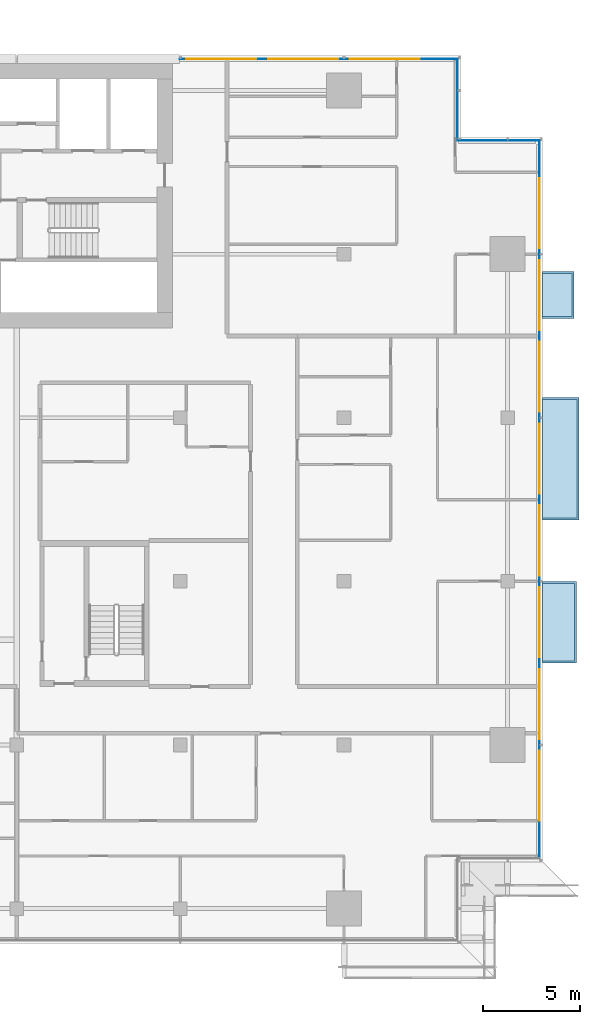
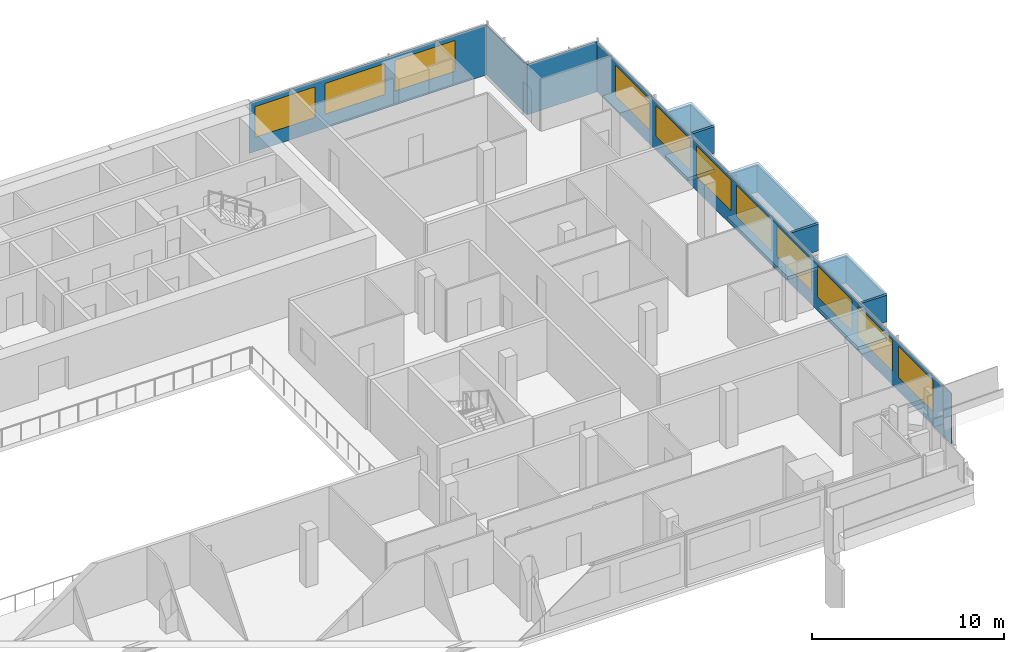
# One storey, part 16 of 30: 11 windows, 10 plates, 3 slabs, 11 openings, 4 elements without a shape of their own.
"""IFC4 building model written with IfcOpenShell, lengths in metres."""

from ifc_helpers import new_model, si_unit, direction, frame, frame_2d, origin, place, context, subcontext, project, spatial, polyline, rectangle, outline, extrude, material, layer, layer_set, type_object, element, fill, aggregate, save


model = new_model("IFC4")

# Units and contexts
model_context = context("Model", 3, precision=1e-05, world=origin(), true_north=direction((0.0, 1.0)))
body_context = subcontext(model_context, "Body", "Model", "MODEL_VIEW")
ifc_project = project(units=[si_unit("LENGTHUNIT", "METRE"), si_unit("AREAUNIT", "SQUARE_METRE"), si_unit("VOLUMEUNIT", "CUBIC_METRE"), si_unit("PLANEANGLEUNIT", "RADIAN"), si_unit("MASSUNIT", "GRAM", prefix="KILO")], contexts=[model_context])

# Site, building, storey
site_placement = place(None, origin())
site = spatial("IfcSite", under=ifc_project, at=site_placement, CompositionType="ELEMENT")
building_placement = place(site_placement, origin())
building = spatial("IfcBuilding", under=site, at=building_placement, Name="Saffron Gate Tower", CompositionType="ELEMENT")
storey_placement = place(building_placement, frame((0.0, 0.0, 158.25)))
storey = spatial("IfcBuildingStorey", under=building, at=storey_placement, Name="L38", CompositionType="ELEMENT", Elevation=158.25)

# Curtain wall, plate, openings, windows
ifc_material_1 = material(Name="Aluminium, bronze anodised", Category="aluminium")
curtain_wall_type_1 = type_object("IfcCurtainWallType", Name="CWS2 curtain wall side facades", PredefinedType="NOTDEFINED", material=ifc_material_1)
curtain_wall_1_placement = place(storey_placement, origin())
curtain_wall_1 = element("IfcCurtainWall", 1, at=curtain_wall_1_placement, inside=storey, type_object=curtain_wall_type_1, Name="CWS2 run 4", PredefinedType="NOTDEFINED")
ifc_material_2 = material(Name="Fritted bronze-tinted laminated glass", Category="glass")
ifc_layer_1 = layer(ifc_material_2, 0.028076171875)
ifc_layer_set_1 = layer_set([ifc_layer_1], Name="CWS2 fixed glass")
plate_type_1 = type_object("IfcPlateType", Name="CWS2 fixed glass", PredefinedType="CURTAIN_PANEL", material=ifc_layer_set_1)
plate_1_placement = place(storey_placement, frame((127.02587890625, 34.387939453125, 0.0), z_axis=(0.0, 0.0, 1.0), x_axis=(0.0, 1.0, 0.0)))
plate_1 = element("IfcPlate", 2, at=plate_1_placement, type_object=plate_type_1, Name="CWS2 glass panel", PredefinedType="CURTAIN_PANEL", context=body_context, shape_type="SweptSolid", body=[
    extrude(rectangle(XDim=36.823974609375, YDim=0.028076171875, at=frame_2d((18.412109375, 0.0))), origin(), (0.0, 0.0, 1.0), 3.199951171875),
])
opening_1_placement = place(plate_1_placement, frame((1.912109375, 0.0, 0.89990234375)))
opening_1 = element("IfcOpeningElement", 3, at=opening_1_placement, cuts=plate_1, Name="Opening W1", PredefinedType="OPENING", context=body_context, shape_type="SweptSolid", body=[
    extrude(rectangle(XDim=3.60009765625, YDim=1.949951171875, at=frame_2d((1.800048828125, 0.97509765625))), frame((0.0, 0.02392578125, 0.0), z_axis=(0.0, -1.0, 0.0), x_axis=(1.0, 0.0, 0.0)), (0.0, 0.0, 1.0), 0.048095703125),
])
opening_2_placement = place(plate_1_placement, frame((6.112060546875, 0.0, 0.89990234375)))
opening_2 = element("IfcOpeningElement", 4, at=opening_2_placement, cuts=plate_1, Name="Opening W1", PredefinedType="OPENING", context=body_context, shape_type="SweptSolid", body=[
    extrude(rectangle(XDim=3.60009765625, YDim=1.949951171875, at=frame_2d((1.800048828125, 0.97509765625))), frame((0.0, 0.02392578125, 0.0), z_axis=(0.0, -1.0, 0.0), x_axis=(1.0, 0.0, 0.0)), (0.0, 0.0, 1.0), 0.048095703125),
])
opening_3_placement = place(plate_1_placement, frame((10.31201171875, 0.0, 0.89990234375)))
opening_3 = element("IfcOpeningElement", 5, at=opening_3_placement, cuts=plate_1, Name="Opening W1", PredefinedType="OPENING", context=body_context, shape_type="SweptSolid", body=[
    extrude(rectangle(XDim=3.60009765625, YDim=1.949951171875, at=frame_2d((1.800048828125, 0.97509765625))), frame((0.0, 0.02392578125, 0.0), z_axis=(0.0, -1.0, 0.0), x_axis=(1.0, 0.0, 0.0)), (0.0, 0.0, 1.0), 0.048095703125),
])
opening_4_placement = place(plate_1_placement, frame((14.511962890625, 0.0, 0.89990234375)))
opening_4 = element("IfcOpeningElement", 6, at=opening_4_placement, cuts=plate_1, Name="Opening W1", PredefinedType="OPENING", context=body_context, shape_type="SweptSolid", body=[
    extrude(rectangle(XDim=3.60009765625, YDim=1.949951171875, at=frame_2d((1.800048828125, 0.97509765625))), frame((0.0, 0.02392578125, 0.0), z_axis=(0.0, -1.0, 0.0), x_axis=(1.0, 0.0, 0.0)), (0.0, 0.0, 1.0), 0.048095703125),
])
opening_5_placement = place(plate_1_placement, frame((18.7119140625, 0.0, 0.89990234375)))
opening_5 = element("IfcOpeningElement", 7, at=opening_5_placement, cuts=plate_1, Name="Opening W1", PredefinedType="OPENING", context=body_context, shape_type="SweptSolid", body=[
    extrude(rectangle(XDim=3.60009765625, YDim=1.949951171875, at=frame_2d((1.800048828125, 0.97509765625))), frame((0.0, 0.02392578125, 0.0), z_axis=(0.0, -1.0, 0.0), x_axis=(1.0, 0.0, 0.0)), (0.0, 0.0, 1.0), 0.048095703125),
])
opening_6_placement = place(plate_1_placement, frame((22.912109375, 0.0, 0.89990234375)))
opening_6 = element("IfcOpeningElement", 8, at=opening_6_placement, cuts=plate_1, Name="Opening W1", PredefinedType="OPENING", context=body_context, shape_type="SweptSolid", body=[
    extrude(rectangle(XDim=3.60009765625, YDim=1.949951171875, at=frame_2d((1.800048828125, 0.97509765625))), frame((0.0, 0.02392578125, 0.0), z_axis=(0.0, -1.0, 0.0), x_axis=(1.0, 0.0, 0.0)), (0.0, 0.0, 1.0), 0.048095703125),
])
opening_7_placement = place(plate_1_placement, frame((27.112060546875, 0.0, 0.89990234375)))
opening_7 = element("IfcOpeningElement", 9, at=opening_7_placement, cuts=plate_1, Name="Opening W1", PredefinedType="OPENING", context=body_context, shape_type="SweptSolid", body=[
    extrude(rectangle(XDim=3.60009765625, YDim=1.949951171875, at=frame_2d((1.800048828125, 0.97509765625))), frame((0.0, 0.02392578125, 0.0), z_axis=(0.0, -1.0, 0.0), x_axis=(1.0, 0.0, 0.0)), (0.0, 0.0, 1.0), 0.048095703125),
])
opening_8_placement = place(plate_1_placement, frame((31.31201171875, 0.0, 0.89990234375)))
opening_8 = element("IfcOpeningElement", 10, at=opening_8_placement, cuts=plate_1, Name="Opening W1", PredefinedType="OPENING", context=body_context, shape_type="SweptSolid", body=[
    extrude(rectangle(XDim=3.60009765625, YDim=1.949951171875, at=frame_2d((1.800048828125, 0.97509765625))), frame((0.0, 0.02392578125, 0.0), z_axis=(0.0, -1.0, 0.0), x_axis=(1.0, 0.0, 0.0)), (0.0, 0.0, 1.0), 0.048095703125),
])
ifc_material_3 = material(Name="Fritted bronze-tinted laminated glass in bronze frame", Category="glass")
ifc_layer_2 = layer(ifc_material_3, 0.06005859375)
ifc_layer_set_2 = layer_set([ifc_layer_2], Name="W1 operable panel 3600x1950")
window_type = type_object("IfcWindowType", Name="W1 operable panel 3600x1950", PartitioningType="DOUBLE_PANEL_HORIZONTAL", PredefinedType="WINDOW", material=ifc_layer_set_2)
window_1_placement = place(opening_1_placement, origin())
window_1 = element("IfcWindow", 11, at=window_1_placement, type_object=window_type, Name="W1 operable panel", OverallHeight=1.949951171875, OverallWidth=3.60009765625, PartitioningType="SINGLE_PANEL", PredefinedType="WINDOW", context=body_context, shape_type="SweptSolid", body=[
    extrude(rectangle(XDim=3.60009765625, YDim=1.949951171875, at=frame_2d((1.800048828125, 0.97509765625))), frame((0.0, 0.013671875, 0.0), z_axis=(0.0, -1.0, 0.0), x_axis=(1.0, 0.0, 0.0)), (0.0, 0.0, 1.0), 0.027587890625),
])
fill(opening_1, window_1)
window_2_placement = place(opening_2_placement, origin())
window_2 = element("IfcWindow", 12, at=window_2_placement, type_object=window_type, Name="W1 operable panel", OverallHeight=1.949951171875, OverallWidth=3.60009765625, PartitioningType="SINGLE_PANEL", PredefinedType="WINDOW", context=body_context, shape_type="SweptSolid", body=[
    extrude(rectangle(XDim=3.60009765625, YDim=1.949951171875, at=frame_2d((1.800048828125, 0.97509765625))), frame((0.0, 0.013671875, 0.0), z_axis=(0.0, -1.0, 0.0), x_axis=(1.0, 0.0, 0.0)), (0.0, 0.0, 1.0), 0.027587890625),
])
fill(opening_2, window_2)
window_3_placement = place(opening_3_placement, origin())
window_3 = element("IfcWindow", 13, at=window_3_placement, type_object=window_type, Name="W1 operable panel", OverallHeight=1.949951171875, OverallWidth=3.60009765625, PartitioningType="SINGLE_PANEL", PredefinedType="WINDOW", context=body_context, shape_type="SweptSolid", body=[
    extrude(rectangle(XDim=3.60009765625, YDim=1.949951171875, at=frame_2d((1.800048828125, 0.97509765625))), frame((0.0, 0.013671875, 0.0), z_axis=(0.0, -1.0, 0.0), x_axis=(1.0, 0.0, 0.0)), (0.0, 0.0, 1.0), 0.027587890625),
])
fill(opening_3, window_3)
window_4_placement = place(opening_4_placement, origin())
window_4 = element("IfcWindow", 14, at=window_4_placement, type_object=window_type, Name="W1 operable panel", OverallHeight=1.949951171875, OverallWidth=3.60009765625, PartitioningType="SINGLE_PANEL", PredefinedType="WINDOW", context=body_context, shape_type="SweptSolid", body=[
    extrude(rectangle(XDim=3.60009765625, YDim=1.949951171875, at=frame_2d((1.800048828125, 0.97509765625))), frame((0.0, 0.013671875, 0.0), z_axis=(0.0, -1.0, 0.0), x_axis=(1.0, 0.0, 0.0)), (0.0, 0.0, 1.0), 0.027587890625),
])
fill(opening_4, window_4)
window_5_placement = place(opening_5_placement, origin())
window_5 = element("IfcWindow", 15, at=window_5_placement, type_object=window_type, Name="W1 operable panel", OverallHeight=1.949951171875, OverallWidth=3.60009765625, PartitioningType="SINGLE_PANEL", PredefinedType="WINDOW", context=body_context, shape_type="SweptSolid", body=[
    extrude(rectangle(XDim=3.60009765625, YDim=1.949951171875, at=frame_2d((1.800048828125, 0.97509765625))), frame((0.0, 0.013671875, 0.0), z_axis=(0.0, -1.0, 0.0), x_axis=(1.0, 0.0, 0.0)), (0.0, 0.0, 1.0), 0.027587890625),
])
fill(opening_5, window_5)
window_6_placement = place(opening_6_placement, origin())
window_6 = element("IfcWindow", 16, at=window_6_placement, type_object=window_type, Name="W1 operable panel", OverallHeight=1.949951171875, OverallWidth=3.60009765625, PartitioningType="SINGLE_PANEL", PredefinedType="WINDOW", context=body_context, shape_type="SweptSolid", body=[
    extrude(rectangle(XDim=3.60009765625, YDim=1.949951171875, at=frame_2d((1.800048828125, 0.97509765625))), frame((0.0, 0.013671875, 0.0), z_axis=(0.0, -1.0, 0.0), x_axis=(1.0, 0.0, 0.0)), (0.0, 0.0, 1.0), 0.027587890625),
])
fill(opening_6, window_6)
window_7_placement = place(opening_7_placement, origin())
window_7 = element("IfcWindow", 17, at=window_7_placement, type_object=window_type, Name="W1 operable panel", OverallHeight=1.949951171875, OverallWidth=3.60009765625, PartitioningType="SINGLE_PANEL", PredefinedType="WINDOW", context=body_context, shape_type="SweptSolid", body=[
    extrude(rectangle(XDim=3.60009765625, YDim=1.949951171875, at=frame_2d((1.800048828125, 0.97509765625))), frame((0.0, 0.013671875, 0.0), z_axis=(0.0, -1.0, 0.0), x_axis=(1.0, 0.0, 0.0)), (0.0, 0.0, 1.0), 0.027587890625),
])
fill(opening_7, window_7)
window_8_placement = place(opening_8_placement, origin())
window_8 = element("IfcWindow", 18, at=window_8_placement, type_object=window_type, Name="W1 operable panel", OverallHeight=1.949951171875, OverallWidth=3.60009765625, PartitioningType="SINGLE_PANEL", PredefinedType="WINDOW", context=body_context, shape_type="SweptSolid", body=[
    extrude(rectangle(XDim=3.60009765625, YDim=1.949951171875, at=frame_2d((1.800048828125, 0.97509765625))), frame((0.0, 0.013671875, 0.0), z_axis=(0.0, -1.0, 0.0), x_axis=(1.0, 0.0, 0.0)), (0.0, 0.0, 1.0), 0.027587890625),
])
fill(opening_8, window_8)
aggregate(curtain_wall_1, [plate_1, window_1, window_2, window_3, window_4, window_5, window_6, window_7, window_8])

curtain_wall_type_2 = type_object("IfcCurtainWallType", Name="CWS3 curtain wall rear facade", PredefinedType="NOTDEFINED", material=ifc_material_1)
curtain_wall_2_placement = place(storey_placement, origin())
curtain_wall_2 = element("IfcCurtainWall", 19, at=curtain_wall_2_placement, inside=storey, type_object=curtain_wall_type_2, Name="CWS3 run 7", PredefinedType="NOTDEFINED")
ifc_material_4 = material(Name="Fritted grey-tinted laminated glass", Category="glass")
ifc_layer_3 = layer(ifc_material_4, 0.028076171875)
ifc_layer_set_3 = layer_set([ifc_layer_3], Name="CWS3 fixed glass")
plate_type_2 = type_object("IfcPlateType", Name="CWS3 fixed glass", PredefinedType="CURTAIN_PANEL", material=ifc_layer_set_3)
plate_2_placement = place(storey_placement, frame((122.81201171875, 75.426025390625, 0.0), z_axis=(0.0, 0.0, 1.0), x_axis=(-1.0, 0.0, 0.0)))
plate_2 = element("IfcPlate", 20, at=plate_2_placement, type_object=plate_type_2, Name="CWS3 glass panel", PredefinedType="CURTAIN_PANEL", context=body_context, shape_type="SweptSolid", body=[
    extrude(rectangle(XDim=14.2470703125, YDim=0.028076171875, at=frame_2d((7.12353515625, 0.0))), origin(), (0.0, 0.0, 1.0), 3.199951171875),
])
opening_9_placement = place(plate_2_placement, frame((1.912109375, 0.0, 0.89990234375)))
opening_9 = element("IfcOpeningElement", 21, at=opening_9_placement, cuts=plate_2, Name="Opening W1", PredefinedType="OPENING", context=body_context, shape_type="SweptSolid", body=[
    extrude(rectangle(XDim=3.60009765625, YDim=1.949951171875, at=frame_2d((1.800048828125, 0.97509765625))), frame((0.0, 0.02392578125, 0.0), z_axis=(0.0, -1.0, 0.0), x_axis=(1.0, 0.0, 0.0)), (0.0, 0.0, 1.0), 0.048095703125),
])
opening_10_placement = place(plate_2_placement, frame((6.112060546875, 0.0, 0.89990234375)))
opening_10 = element("IfcOpeningElement", 22, at=opening_10_placement, cuts=plate_2, Name="Opening W1", PredefinedType="OPENING", context=body_context, shape_type="SweptSolid", body=[
    extrude(rectangle(XDim=3.60009765625, YDim=1.949951171875, at=frame_2d((1.800048828125, 0.97509765625))), frame((0.0, 0.02392578125, 0.0), z_axis=(0.0, -1.0, 0.0), x_axis=(1.0, 0.0, 0.0)), (0.0, 0.0, 1.0), 0.048095703125),
])
opening_11_placement = place(plate_2_placement, frame((10.31201171875, 0.0, 0.89990234375)))
opening_11 = element("IfcOpeningElement", 23, at=opening_11_placement, cuts=plate_2, Name="Opening W1", PredefinedType="OPENING", context=body_context, shape_type="SweptSolid", body=[
    extrude(rectangle(XDim=3.60009765625, YDim=1.949951171875, at=frame_2d((1.800048828125, 0.97509765625))), frame((0.0, 0.02392578125, 0.0), z_axis=(0.0, -1.0, 0.0), x_axis=(1.0, 0.0, 0.0)), (0.0, 0.0, 1.0), 0.048095703125),
])
window_9_placement = place(opening_9_placement, origin())
window_9 = element("IfcWindow", 24, at=window_9_placement, type_object=window_type, Name="W1 operable panel", OverallHeight=1.949951171875, OverallWidth=3.60009765625, PartitioningType="SINGLE_PANEL", PredefinedType="WINDOW", context=body_context, shape_type="SweptSolid", body=[
    extrude(rectangle(XDim=3.60009765625, YDim=1.949951171875, at=frame_2d((1.800048828125, 0.97509765625))), frame((0.0, 0.013671875, 0.0), z_axis=(0.0, -1.0, 0.0), x_axis=(1.0, 0.0, 0.0)), (0.0, 0.0, 1.0), 0.027587890625),
])
fill(opening_9, window_9)
window_10_placement = place(opening_10_placement, origin())
window_10 = element("IfcWindow", 25, at=window_10_placement, type_object=window_type, Name="W1 operable panel", OverallHeight=1.949951171875, OverallWidth=3.60009765625, PartitioningType="SINGLE_PANEL", PredefinedType="WINDOW", context=body_context, shape_type="SweptSolid", body=[
    extrude(rectangle(XDim=3.60009765625, YDim=1.949951171875, at=frame_2d((1.800048828125, 0.97509765625))), frame((0.0, 0.013671875, 0.0), z_axis=(0.0, -1.0, 0.0), x_axis=(1.0, 0.0, 0.0)), (0.0, 0.0, 1.0), 0.027587890625),
])
fill(opening_10, window_10)
window_11_placement = place(opening_11_placement, origin())
window_11 = element("IfcWindow", 26, at=window_11_placement, type_object=window_type, Name="W1 operable panel", OverallHeight=1.949951171875, OverallWidth=3.60009765625, PartitioningType="SINGLE_PANEL", PredefinedType="WINDOW", context=body_context, shape_type="SweptSolid", body=[
    extrude(rectangle(XDim=3.60009765625, YDim=1.949951171875, at=frame_2d((1.800048828125, 0.97509765625))), frame((0.0, 0.013671875, 0.0), z_axis=(0.0, -1.0, 0.0), x_axis=(1.0, 0.0, 0.0)), (0.0, 0.0, 1.0), 0.027587890625),
])
fill(opening_11, window_11)
aggregate(curtain_wall_2, [plate_2, window_9, window_10, window_11])

# Curtain wall, plate
curtain_wall_type_3 = type_object("IfcCurtainWallType", Name="CWS4 curtain wall corner returns", PredefinedType="NOTDEFINED", material=ifc_material_1)
curtain_wall_3_placement = place(storey_placement, origin())
curtain_wall_3 = element("IfcCurtainWall", 27, at=curtain_wall_3_placement, inside=storey, type_object=curtain_wall_type_3, Name="CWS4 run 5", PredefinedType="NOTDEFINED")
ifc_layer_4 = layer(ifc_material_2, 0.028076171875)
ifc_layer_set_4 = layer_set([ifc_layer_4], Name="CWS4 fixed glass")
plate_type_3 = type_object("IfcPlateType", Name="CWS4 fixed glass", PredefinedType="CURTAIN_PANEL", material=ifc_layer_set_4)
plate_3_placement = place(storey_placement, frame((127.011962890625, 71.22607421875, 0.0), z_axis=(0.0, 0.0, 1.0), x_axis=(-1.0, 0.0, 0.0)))
plate_3 = element("IfcPlate", 28, at=plate_3_placement, type_object=plate_type_3, Name="CWS4 glass panel", PredefinedType="CURTAIN_PANEL", context=body_context, shape_type="SweptSolid", body=[
    extrude(rectangle(XDim=4.171875, YDim=0.028076171875, at=frame_2d((2.0859375, 0.0))), origin(), (0.0, 0.0, 1.0), 3.199951171875),
])
aggregate(curtain_wall_3, [plate_3])

curtain_wall_4_placement = place(storey_placement, origin())
curtain_wall_4 = element("IfcCurtainWall", 29, at=curtain_wall_4_placement, inside=storey, type_object=curtain_wall_type_3, Name="CWS4 run 6", PredefinedType="NOTDEFINED")
plate_4_placement = place(storey_placement, frame((122.825927734375, 71.239990234375, 0.0), z_axis=(0.0, 0.0, 1.0), x_axis=(0.0, 1.0, 0.0)))
plate_4 = element("IfcPlate", 30, at=plate_4_placement, type_object=plate_type_3, Name="CWS4 glass panel", PredefinedType="CURTAIN_PANEL", context=body_context, shape_type="SweptSolid", body=[
    extrude(rectangle(XDim=4.172119140625, YDim=0.028076171875, at=frame_2d((2.0859375, 0.0))), origin(), (0.0, 0.0, 1.0), 3.199951171875),
])
aggregate(curtain_wall_4, [plate_4])

# Slabs
ifc_material_5 = material(Name="Timber deck on bronze frame", Category="wood")
ifc_layer_5 = layer(ifc_material_5, 0.199951171875)
ifc_layer_set_5 = layer_set([ifc_layer_5], Name="WB1 box floor")
slab_type = type_object("IfcSlabType", Name="WB1 box floor", PredefinedType="FLOOR", material=ifc_layer_set_5)
slab_1_placement = place(storey_placement, frame((0.0, 0.0, -0.199951171875)))
element("IfcSlab", 31, at=slab_1_placement, inside=storey, type_object=slab_type, Name="WINDOW BOX floor", PredefinedType="FLOOR", context=body_context, shape_type="SweptSolid", body=[
    extrude(outline(polyline([(127.199951171875, 44.39990234375), (127.199951171875, 48.60009765625), (128.93310546875, 48.60009765625), (128.93310546875, 44.39990234375), (127.199951171875, 44.39990234375)])), origin(), (0.0, 0.0, 1.0), 0.199951171875),
])
slab_2_placement = place(storey_placement, frame((0.0, 0.0, -0.199951171875)))
element("IfcSlab", 32, at=slab_2_placement, inside=storey, type_object=slab_type, Name="WINDOW BOX floor", PredefinedType="FLOOR", context=body_context, shape_type="SweptSolid", body=[
    extrude(outline(polyline([(127.199951171875, 51.75), (127.199951171875, 58.050048828125), (129.06689453125, 58.050048828125), (129.06689453125, 51.75), (127.199951171875, 51.75)])), origin(), (0.0, 0.0, 1.0), 0.199951171875),
])
slab_3_placement = place(storey_placement, frame((0.0, 0.0, -0.199951171875)))
element("IfcSlab", 33, at=slab_3_placement, inside=storey, type_object=slab_type, Name="WINDOW BOX floor", PredefinedType="FLOOR", context=body_context, shape_type="SweptSolid", body=[
    extrude(outline(polyline([(127.199951171875, 62.10009765625), (127.199951171875, 64.5), (128.800048828125, 64.5), (128.800048828125, 62.10009765625), (127.199951171875, 62.10009765625)])), origin(), (0.0, 0.0, 1.0), 0.199951171875),
])

# Plates
ifc_layer_6 = layer(ifc_material_1, 0.1201171875)
ifc_layer_set_6 = layer_set([ifc_layer_6], Name="WB2 box roof")
plate_type_4 = type_object("IfcPlateType", Name="WB2 box roof", PredefinedType="SHEET", material=ifc_layer_set_6)
plate_5_placement = place(storey_placement, frame((0.0, 0.0, 2.699951171875)))
element("IfcPlate", 34, at=plate_5_placement, inside=storey, type_object=plate_type_4, Name="WINDOW BOX roof", PredefinedType="SHEET", context=body_context, shape_type="SweptSolid", body=[
    extrude(outline(polyline([(127.199951171875, 44.39990234375), (127.199951171875, 48.60009765625), (128.93310546875, 48.60009765625), (128.93310546875, 44.39990234375), (127.199951171875, 44.39990234375)])), origin(), (0.0, 0.0, 1.0), 0.1201171875),
])
plate_6_placement = place(storey_placement, frame((0.0, 0.0, 2.699951171875)))
element("IfcPlate", 35, at=plate_6_placement, inside=storey, type_object=plate_type_4, Name="WINDOW BOX roof", PredefinedType="SHEET", context=body_context, shape_type="SweptSolid", body=[
    extrude(outline(polyline([(127.199951171875, 51.75), (127.199951171875, 58.050048828125), (129.06689453125, 58.050048828125), (129.06689453125, 51.75), (127.199951171875, 51.75)])), origin(), (0.0, 0.0, 1.0), 0.1201171875),
])
plate_7_placement = place(storey_placement, frame((0.0, 0.0, 2.699951171875)))
element("IfcPlate", 36, at=plate_7_placement, inside=storey, type_object=plate_type_4, Name="WINDOW BOX roof", PredefinedType="SHEET", context=body_context, shape_type="SweptSolid", body=[
    extrude(outline(polyline([(127.199951171875, 62.10009765625), (127.199951171875, 64.5), (128.800048828125, 64.5), (128.800048828125, 62.10009765625), (127.199951171875, 62.10009765625)])), origin(), (0.0, 0.0, 1.0), 0.1201171875),
])
ifc_material_6 = material(Name="Clear low-iron laminated glass", Category="glass")
ifc_layer_7 = layer(ifc_material_6, 0.10009765625)
ifc_layer_set_7 = layer_set([ifc_layer_7], Name="WB6 box glazing")
plate_type_5 = type_object("IfcPlateType", Name="WB6 box glazing", PredefinedType="SHEET", material=ifc_layer_set_7)
plate_8_placement = place(storey_placement, frame((0.0, 0.0, 1.0)))
element("IfcPlate", 37, at=plate_8_placement, inside=storey, type_object=plate_type_5, Name="WINDOW BOX glazing", PredefinedType="SHEET", context=body_context, shape_type="SweptSolid", body=[
    extrude(outline(polyline([(127.199951171875, 44.39990234375), (127.199951171875, 44.5), (128.8330078125, 44.5), (128.8330078125, 48.5), (127.199951171875, 48.5), (127.199951171875, 48.60009765625), (128.93310546875, 48.60009765625), (128.93310546875, 44.39990234375), (127.199951171875, 44.39990234375)])), origin(), (0.0, 0.0, 1.0), 1.699951171875),
])
plate_9_placement = place(storey_placement, frame((0.0, 0.0, 1.0)))
element("IfcPlate", 38, at=plate_9_placement, inside=storey, type_object=plate_type_5, Name="WINDOW BOX glazing", PredefinedType="SHEET", context=body_context, shape_type="SweptSolid", body=[
    extrude(outline(polyline([(127.199951171875, 51.75), (127.199951171875, 51.85009765625), (128.967041015625, 51.85009765625), (128.967041015625, 57.949951171875), (127.199951171875, 57.949951171875), (127.199951171875, 58.050048828125), (129.06689453125, 58.050048828125), (129.06689453125, 51.75), (127.199951171875, 51.75)])), origin(), (0.0, 0.0, 1.0), 1.699951171875),
])
plate_10_placement = place(storey_placement, frame((0.0, 0.0, 1.0)))
element("IfcPlate", 39, at=plate_10_placement, inside=storey, type_object=plate_type_5, Name="WINDOW BOX glazing", PredefinedType="SHEET", context=body_context, shape_type="SweptSolid", body=[
    extrude(outline(polyline([(127.199951171875, 62.10009765625), (127.199951171875, 62.199951171875), (128.699951171875, 62.199951171875), (128.699951171875, 64.39990234375), (127.199951171875, 64.39990234375), (127.199951171875, 64.5), (128.800048828125, 64.5), (128.800048828125, 62.10009765625), (127.199951171875, 62.10009765625)])), origin(), (0.0, 0.0, 1.0), 1.699951171875),
])

save(model, "model.ifc")
